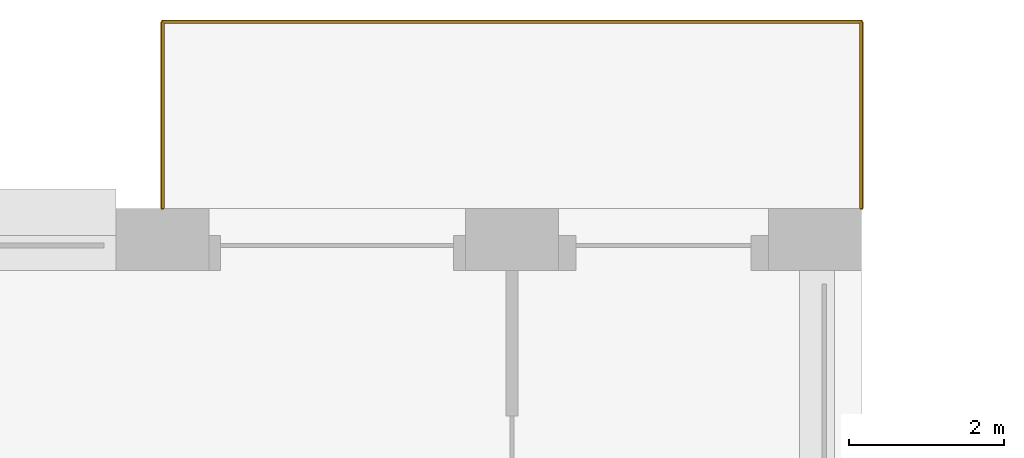
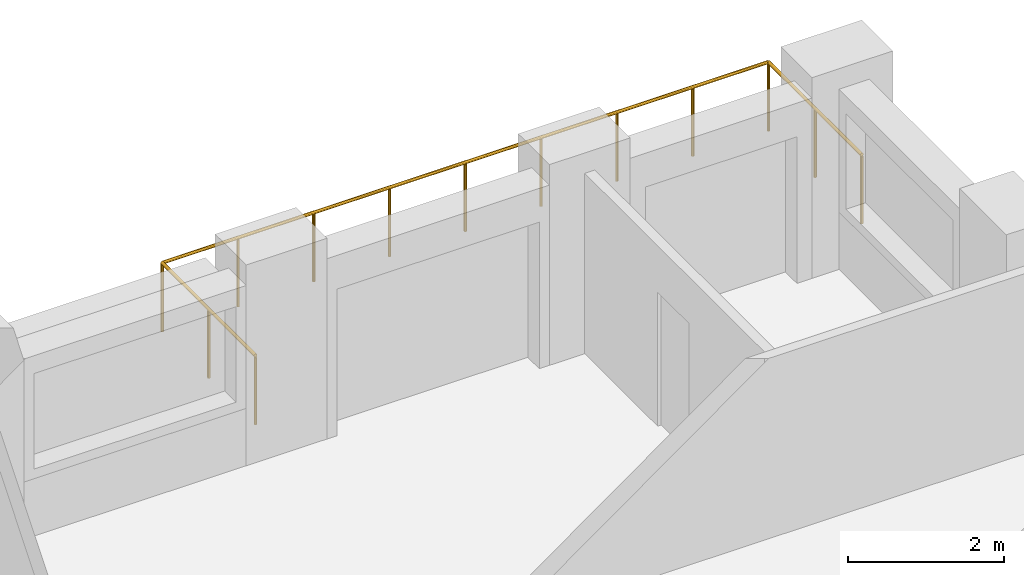
# One storey, part 20 of 20: 1 railing.
"""IFC4 building model written with IfcOpenShell, lengths in metres."""

from ifc_helpers import new_model, si_unit, direction, frame, origin, origin_2d, place, context, subcontext, project, spatial, circle, extrude, material, type_object, element, save


model = new_model("IFC4")

# Units and contexts
model_context = context("Model", 3, precision=1e-05, world=origin(), true_north=direction((0.0, 1.0)))
body_context = subcontext(model_context, "Body", "Model", "MODEL_VIEW")
ifc_project = project(units=[si_unit("LENGTHUNIT", "METRE"), si_unit("AREAUNIT", "SQUARE_METRE"), si_unit("VOLUMEUNIT", "CUBIC_METRE"), si_unit("PLANEANGLEUNIT", "RADIAN"), si_unit("MASSUNIT", "GRAM", prefix="KILO")], contexts=[model_context])

# Site, building, storey
site_placement = place(None, origin())
site = spatial("IfcSite", under=ifc_project, at=site_placement, CompositionType="ELEMENT")
building_placement = place(site_placement, origin())
building = spatial("IfcBuilding", under=site, at=building_placement, Name="Brigalow Station Residences", CompositionType="ELEMENT")
storey_placement = place(building_placement, frame((0.0, 0.0, 57.300048828125)))
storey = spatial("IfcBuildingStorey", under=building, at=storey_placement, Name="L16", CompositionType="ELEMENT", Elevation=57.300048828125)

# Railing
ifc_material = material(Name="Stainless steel balustrade with laminated glass infill", Category="steel")
railing_type = type_object("IfcRailingType", Name="BALCONY GUARD 1100", PredefinedType="GUARDRAIL", material=ifc_material)
railing_placement = place(storey_placement, frame((72.0, 48.5, -0.0400390625)))
element("IfcRailing", 1, at=railing_placement, inside=storey, type_object=railing_type, Name="L16/balcony-guard/2", PredefinedType="GUARDRAIL", context=body_context, shape_type="SweptSolid", body=[
    extrude(circle(Radius=0.02392578125, at=origin_2d()), frame((0.0, 0.0, 1.076171875), z_axis=(0.0, 1.0, 0.0), x_axis=(-1.0, 0.0, 0.0)), (0.0, 0.0, 1.0), 2.39990234375),
    extrude(circle(Radius=0.02392578125, at=origin_2d()), frame((0.0, 2.39990234375, 1.076171875), z_axis=(-1.0, 0.0, 0.0), x_axis=(0.0, -1.0, 0.0)), (0.0, 0.0, 1.0), 9.0),
    extrude(circle(Radius=0.02392578125, at=origin_2d()), frame((-9.0, 2.39990234375, 1.076171875), z_axis=(0.0, -1.0, 0.0), x_axis=(1.0, 0.0, 0.0)), (0.0, 0.0, 1.0), 2.39990234375),
    extrude(circle(Radius=0.02099609375, at=origin_2d()), origin(), (0.0, 0.0, 1.0), 1.052001953125),
    extrude(circle(Radius=0.02099609375, at=origin_2d()), frame((0.0, 1.199951171875, 0.0)), (0.0, 0.0, 1.0), 1.052001953125),
    extrude(circle(Radius=0.02099609375, at=origin_2d()), frame((0.0, 2.39990234375, 0.0)), (0.0, 0.0, 1.0), 1.052001953125),
    extrude(circle(Radius=0.02099609375, at=origin_2d()), frame((-1.125, 2.39990234375, 0.0)), (0.0, 0.0, 1.0), 1.052001953125),
    extrude(circle(Radius=0.02099609375, at=origin_2d()), frame((-2.25, 2.39990234375, 0.0)), (0.0, 0.0, 1.0), 1.052001953125),
    extrude(circle(Radius=0.02099609375, at=origin_2d()), frame((-3.375, 2.39990234375, 0.0)), (0.0, 0.0, 1.0), 1.052001953125),
    extrude(circle(Radius=0.02099609375, at=origin_2d()), frame((-4.5, 2.39990234375, 0.0)), (0.0, 0.0, 1.0), 1.052001953125),
    extrude(circle(Radius=0.02099609375, at=origin_2d()), frame((-5.625, 2.39990234375, 0.0)), (0.0, 0.0, 1.0), 1.052001953125),
    extrude(circle(Radius=0.02099609375, at=origin_2d()), frame((-6.75, 2.39990234375, 0.0)), (0.0, 0.0, 1.0), 1.052001953125),
    extrude(circle(Radius=0.02099609375, at=origin_2d()), frame((-7.875, 2.39990234375, 0.0)), (0.0, 0.0, 1.0), 1.052001953125),
    extrude(circle(Radius=0.02099609375, at=origin_2d()), frame((-9.0, 2.39990234375, 0.0)), (0.0, 0.0, 1.0), 1.052001953125),
    extrude(circle(Radius=0.02099609375, at=origin_2d()), frame((-9.0, 1.199951171875, 0.0)), (0.0, 0.0, 1.0), 1.052001953125),
    extrude(circle(Radius=0.02099609375, at=origin_2d()), frame((-9.0, 0.0, 0.0)), (0.0, 0.0, 1.0), 1.052001953125),
])

save(model, "model.ifc")
